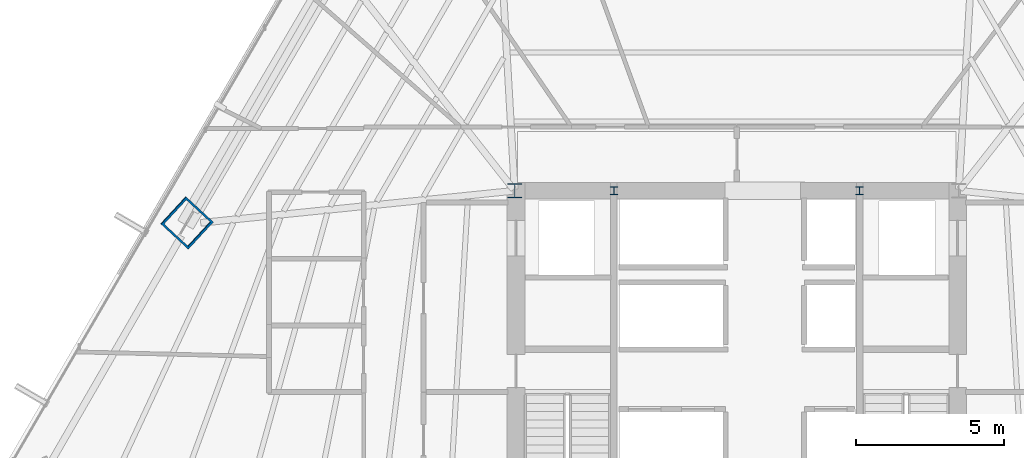
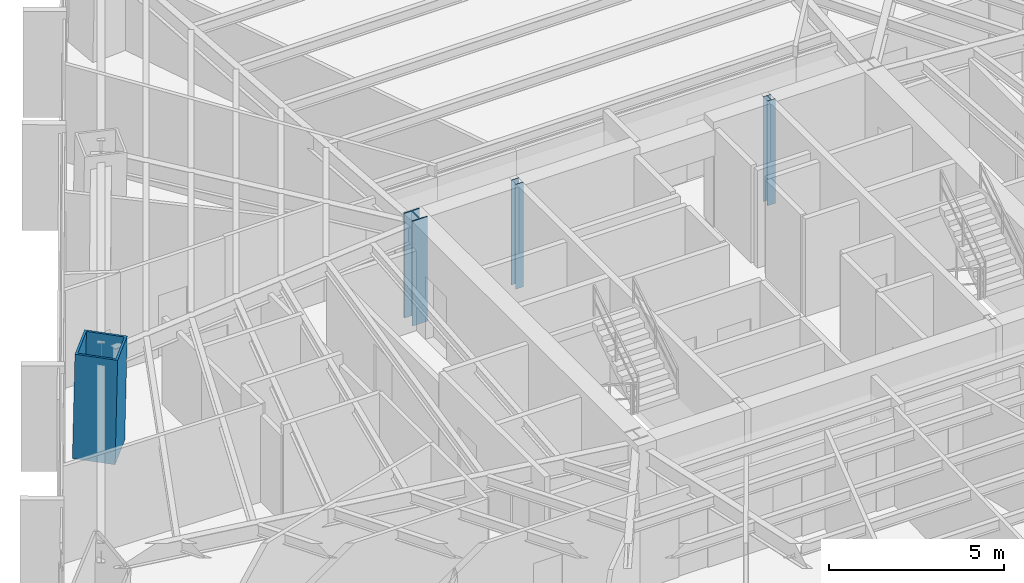
# One storey, part 2 of 36: 4 columns.
"""IFC4 building model written with IfcOpenShell, lengths in metres."""

from ifc_helpers import new_model, si_unit, direction, frame, origin, origin_2d, place, context, subcontext, project, spatial, hollow_rectangle, i_section, extrude, source, transform, mapped, material, material_profile, profile_set, type_object, type_shapes, element, save


model = new_model("IFC4")

# Units and contexts
model_context = context("Model", 3, precision=1e-05, world=origin(), true_north=direction((0.0, 1.0)))
body_context = subcontext(model_context, "Body", "Model", "MODEL_VIEW")
ifc_project = project(units=[si_unit("LENGTHUNIT", "METRE"), si_unit("AREAUNIT", "SQUARE_METRE"), si_unit("VOLUMEUNIT", "CUBIC_METRE"), si_unit("PLANEANGLEUNIT", "RADIAN"), si_unit("MASSUNIT", "GRAM", prefix="KILO")], contexts=[model_context])

# Site, building, storey
site_placement = place(None, origin())
site = spatial("IfcSite", under=ifc_project, at=site_placement, CompositionType="ELEMENT")
building_placement = place(site_placement, origin())
building = spatial("IfcBuilding", under=site, at=building_placement, Name="Caelisora Broadcast Tower", CompositionType="ELEMENT")
storey_placement = place(building_placement, frame((0.0, 0.0, 60.449951171875)))
storey = spatial("IfcBuildingStorey", under=building, at=storey_placement, Name="L15", CompositionType="ELEMENT", Elevation=60.449951171875)

# Columns
ifc_material_1 = material(Name="Steel Grade 350 L15 (AS/NZS 3678)", Category="steel")
ifc_material_profile_1 = material_profile(ifc_material_1, hollow_rectangle(XDim=1.25, YDim=1.25, WallThickness=0.070068359375, at=origin_2d()), Name="Steel Grade 350 L15 (AS/NZS 3678)")
ifc_profile_set_1 = profile_set([ifc_material_profile_1], Name="Steel Grade 350 L15 (AS/NZS 3678)")
column_type_1 = type_object("IfcColumnType", Name="MC02", PredefinedType="COLUMN", material=ifc_profile_set_1)
shared_shape_1 = source(origin(), body_context, "Body", "SweptSolid", [
    extrude(hollow_rectangle(XDim=1.25, YDim=1.25, WallThickness=0.070068359375, at=origin_2d()), origin(), (0.0, 0.0, 1.0), 3.65087890625),
])
type_shapes(column_type_1, [shared_shape_1])
column_1_placement = place(storey_placement, frame((19.42333984375, 28.9228515625, 0.0), z_axis=(0.014912316331, -0.013775502979, 0.999793907933), x_axis=(0.678553674548, 0.734550822447, 0.0)))
element("IfcColumn", 1, at=column_1_placement, inside=storey, type_object=column_type_1, Name="L15 column MC02", PredefinedType="COLUMN", context=body_context, shape_type="MappedRepresentation", body=[
    mapped(shared_shape_1, transform((0.0, 0.0, 0.0), scale=1.0)),
])
ifc_material_2 = material(Name="Steel Grade 350 (AS/NZS 3679.2)", Category="steel")
ifc_material_profile_2 = material_profile(ifc_material_2, i_section(OverallWidth=0.5, OverallDepth=0.5, WebThickness=0.028076171875, FlangeThickness=0.0400390625, at=origin_2d()), Name="Steel Grade 350 (AS/NZS 3679.2)")
ifc_profile_set_2 = profile_set([ifc_material_profile_2], Name="Steel Grade 350 (AS/NZS 3679.2)")
column_type_2 = type_object("IfcColumnType", Name="CC01", PredefinedType="COLUMN", material=ifc_profile_set_2)
shared_shape_2 = source(origin(), body_context, "Body", "SweptSolid", [
    extrude(i_section(OverallWidth=0.5, OverallDepth=0.5, WebThickness=0.028076171875, FlangeThickness=0.0400390625, at=origin_2d()), origin(), (0.0, 0.0, 1.0), 3.650146484375),
])
type_shapes(column_type_2, [shared_shape_2])
column_2_placement = place(storey_placement, frame((30.5, 30.0, 0.0), z_axis=(0.0, 0.0, 1.0), x_axis=(1.0, 0.0, 0.0)))
element("IfcColumn", 2, at=column_2_placement, inside=storey, type_object=column_type_2, Name="L15 column CC01", PredefinedType="COLUMN", context=body_context, shape_type="MappedRepresentation", body=[
    mapped(shared_shape_2, transform((0.0, 0.0, 0.0), scale=1.0)),
])
ifc_material_3 = material(Name="Steel Grade 350 (AS/NZS 3679.1)", Category="steel")
ifc_material_profile_3 = material_profile(ifc_material_3, i_section(OverallWidth=0.256103515625, OverallDepth=0.260009765625, WebThickness=0.010498046875, FlangeThickness=0.017333984375, at=origin_2d()), Name="Steel Grade 350 (AS/NZS 3679.1)")
ifc_profile_set_3 = profile_set([ifc_material_profile_3], Name="Steel Grade 350 (AS/NZS 3679.1)")
column_type_3 = type_object("IfcColumnType", Name="CC05", PredefinedType="COLUMN", material=ifc_profile_set_3)
shared_shape_3 = source(origin(), body_context, "Body", "SweptSolid", [
    extrude(i_section(OverallWidth=0.256103515625, OverallDepth=0.260009765625, WebThickness=0.010498046875, FlangeThickness=0.017333984375, at=origin_2d()), origin(), (0.0, 0.0, 1.0), 3.650146484375),
])
type_shapes(column_type_3, [shared_shape_3])
for number, where, z_axis, x_axis, name in (
    (3, (33.85009765625, 30.0, 0.0), (0.0, 0.0, 1.0), (1.0, 0.0, 0.0), "L15 column CC05"),
    (4, (42.14990234375, 30.0, 0.0), (0.0, 0.0, 1.0), (1.0, 0.0, 0.0), "L15 column CC05"),
):
    element("IfcColumn", number, at=place(storey_placement, frame(where, z_axis=z_axis, x_axis=x_axis)), inside=storey, type_object=column_type_3, Name=name, PredefinedType="COLUMN", context=body_context, shape_type="MappedRepresentation", body=[
        mapped(shared_shape_3, transform((0.0, 0.0, 0.0), scale=1.0)),
    ])

save(model, "model.ifc")
